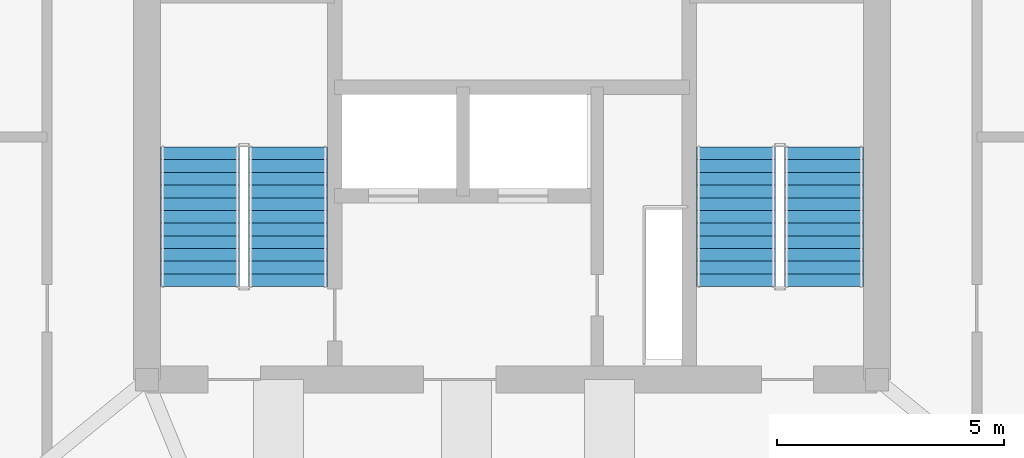
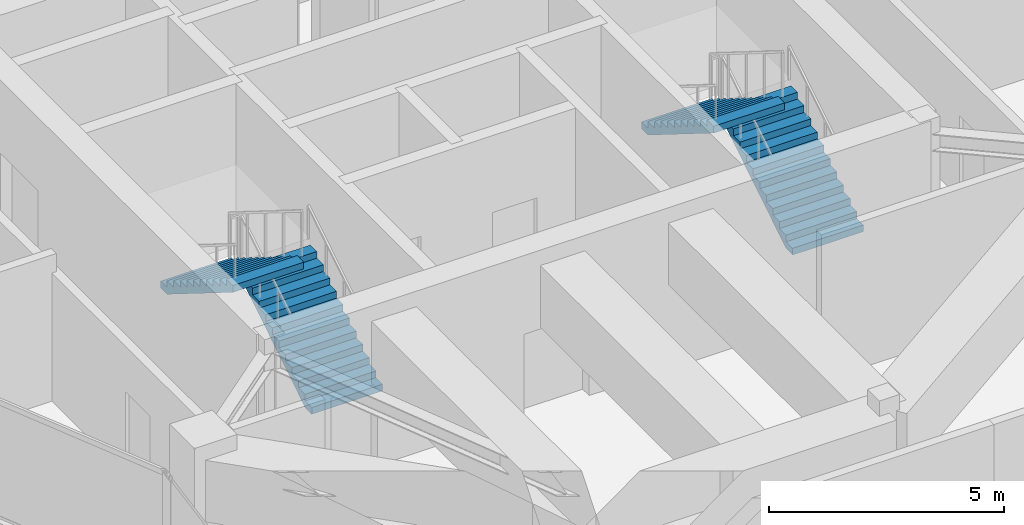
# One storey, part 6 of 7: 4 stair flights, 2 elements without a shape of their own.
"""IFC4 building model written with IfcOpenShell, lengths in metres."""

import ifcopenshell
import ifcopenshell.guid

model = None  # the IFC model being written
_history = None  # IfcOwnerHistory: only IFC2X3 demands one
_inside = {}  # id of a spatial element -> (the spatial element, [elements in it])
_under = {}  # id of a project, library or spatial element -> (it, [spatial elements below it])
_declared = {}  # id of a project -> (the project, [libraries it declares])
_typed = {}  # id of a type object -> (the type object, [elements of that type])
_made_of = {}  # id of a material, layer set ... -> (it, [elements and type objects made of it])


def new_model(schema):
    """Start an empty IFC model of exactly this schema.

    Asked for "IFC4X3", IfcOpenShell would pick the latest addendum, in which some entities
    have other attributes; the version numbers below select the first issue.
    IFC2X3 requires an IfcOwnerHistory on every rooted entity: one is made here for all.
    """
    global model, _history
    if schema == "IFC4X3":
        model = ifcopenshell.file(schema_version=(4, 3, 0, 0))
    else:
        model = ifcopenshell.file(schema=schema)
    _inside.clear()
    _under.clear()
    _declared.clear()
    _typed.clear()
    _made_of.clear()
    _history = None
    if model.schema == "IFC2X3":
        org = make("IfcOrganization", Name="unknown")
        user = make(
            "IfcPersonAndOrganization",
            ThePerson=make("IfcPerson", FamilyName="unknown"),
            TheOrganization=org,
        )
        app = make(
            "IfcApplication",
            ApplicationDeveloper=org,
            Version="unknown",
            ApplicationFullName="unknown",
            ApplicationIdentifier="unknown",
        )
        _history = make(
            "IfcOwnerHistory",
            OwningUser=user,
            OwningApplication=app,
            ChangeAction="ADDED",
            CreationDate=0,
        )
    return model


def make(cls, **values):
    """One entity of the class cls with the attributes given. An attribute that is None is left unset."""
    return model.create_entity(
        cls, **{name: value for name, value in values.items() if value is not None}
    )


def rooted(cls, **values):
    """An entity with a GlobalId (a new one), such as an element, a storey or a relation."""
    return make(cls, GlobalId=ifcopenshell.guid.new(), OwnerHistory=_history, **values)


def si_unit(unit_type, name, prefix=None):
    """IfcSIUnit, for example si_unit("LENGTHUNIT", "METRE", prefix="MILLI")."""
    return make("IfcSIUnit", UnitType=unit_type, Prefix=prefix, Name=name)


def assignment(units):
    """IfcUnitAssignment: the units of a project."""
    return None if units is None else make("IfcUnitAssignment", Units=units)


def point(xyz):
    """IfcCartesianPoint."""
    return None if xyz is None else make("IfcCartesianPoint", Coordinates=xyz)


def direction(xyz):
    """IfcDirection."""
    return None if xyz is None else make("IfcDirection", DirectionRatios=xyz)


def frame(location, z_axis=None, x_axis=None):
    """IfcAxis2Placement3D, a coordinate frame: its origin and axes. An axis left out is left unset."""
    return make(
        "IfcAxis2Placement3D",
        Location=point(location),
        Axis=direction(z_axis),
        RefDirection=direction(x_axis),
    )


def origin():
    """The frame at (0, 0, 0) with its axes left unset."""
    return frame((0.0, 0.0, 0.0))


def place(relative_to, where):
    """IfcLocalPlacement: puts the frame where relative to a parent placement (None: the world)."""
    return make(
        "IfcLocalPlacement", PlacementRelTo=relative_to, RelativePlacement=where
    )


def context(
    kind, dimensions, precision=None, world=None, true_north=None, identifier=None
):
    """IfcGeometricRepresentationContext, for example the 3D "Model" context."""
    return make(
        "IfcGeometricRepresentationContext",
        ContextIdentifier=identifier,
        ContextType=kind,
        CoordinateSpaceDimension=dimensions,
        Precision=precision,
        WorldCoordinateSystem=world,
        TrueNorth=true_north,
    )


def subcontext(parent, identifier, kind, view, scale=None):
    """IfcGeometricRepresentationSubContext, for example "Body" below "Model"."""
    return make(
        "IfcGeometricRepresentationSubContext",
        ContextIdentifier=identifier,
        ContextType=kind,
        ParentContext=parent,
        TargetScale=scale,
        TargetView=view,
    )


def project(units=None, contexts=None):
    """IfcProject with its units and contexts."""
    return rooted(
        "IfcProject",
        Name="project",
        RepresentationContexts=contexts,
        UnitsInContext=assignment(units),
    )


def spatial(cls, under=None, at=None, **own):
    """A site, building, storey or space (cls), placed at a placement, below another one or the project."""
    s = rooted(cls, ObjectPlacement=at, **own)
    if under is not None:
        _under.setdefault(under.id(), (under, []))[1].append(s)
    return s


def polyline(points):
    """IfcPolyline through the points."""
    return make("IfcPolyline", Points=[point(p) for p in points])


def outline(outer, holes=None, kind="AREA"):
    """IfcArbitraryClosedProfileDef: a profile drawn as a closed curve; with holes, ...WithVoids."""
    if holes is None:
        return make("IfcArbitraryClosedProfileDef", ProfileType=kind, OuterCurve=outer)
    return make(
        "IfcArbitraryProfileDefWithVoids",
        ProfileType=kind,
        OuterCurve=outer,
        InnerCurves=holes,
    )


def extrude(swept, where, along, depth):
    """IfcExtrudedAreaSolid: the profile swept, set in the frame where, extruded along a direction by depth."""
    return make(
        "IfcExtrudedAreaSolid",
        SweptArea=swept,
        Position=where,
        ExtrudedDirection=direction(along),
        Depth=depth,
    )


def shape(context_of_items, identifier, shape_type, items):
    """IfcShapeRepresentation: the items that make up one representation, for example the "Body"."""
    return make(
        "IfcShapeRepresentation",
        ContextOfItems=context_of_items,
        RepresentationIdentifier=identifier,
        RepresentationType=shape_type,
        Items=items,
    )


def material(Name=None, Category=None):
    """IfcMaterial."""
    return make("IfcMaterial", Name=Name, Category=Category)


def made_of(thing, what):
    """Note that an element or type object is made of a material, layer set ...; save() writes the relation."""
    if what is not None:
        _made_of.setdefault(what.id(), (what, []))[1].append(thing)
    return thing


def type_object(cls, material=None, **own):
    """A type object (cls), such as IfcWallType, which elements share."""
    return made_of(rooted(cls, **own), material)


def element(
    cls,
    number,
    at=None,
    inside=None,
    cuts=None,
    type_object=None,
    material=None,
    context=None,
    identifier="Body",
    shape_type=None,
    held_by="IfcProductDefinitionShape",
    body=None,
    shapes=None,
    **own,
):
    """One element of the class cls, such as IfcWall. Its Tag is "e" and its number.

    at: its placement. inside: the storey or other place that contains it. cuts: it is an
    opening in that element (IfcRelVoidsElement). A single representation is given by context,
    identifier, shape_type and body (its items); several are given by shapes. held_by: the class
    of the entity that holds the representations. save() writes the other relations.
    """
    e = rooted(cls, Tag="e%d" % number, ObjectPlacement=at, **own)
    if body is not None:
        shapes = [shape(context, identifier, shape_type, body)]
    if shapes is not None:
        e.Representation = make(held_by, Representations=shapes)
    if inside is not None:
        _inside.setdefault(inside.id(), (inside, []))[1].append(e)
    if cuts is not None:
        rooted(
            "IfcRelVoidsElement", RelatingBuildingElement=cuts, RelatedOpeningElement=e
        )
    if type_object is not None:
        _typed.setdefault(type_object.id(), (type_object, []))[1].append(e)
    return made_of(e, material)


def aggregate(whole, parts):
    """IfcRelAggregates: a whole, such as a stair, and the parts it consists of."""
    return rooted("IfcRelAggregates", RelatingObject=whole, RelatedObjects=parts)


def save(model, path):
    """Write the relations noted so far, then the file.

    IfcRelAggregates (storeys below a building ...), IfcRelContainedInSpatialStructure (elements
    in a storey), IfcRelDefinesByType, IfcRelAssociatesMaterial and IfcRelDeclares: one each for
    every whole, place, type object, material and project.
    """
    for whole, parts in _under.values():
        aggregate(whole, parts)
    for where, things in _inside.values():
        rooted(
            "IfcRelContainedInSpatialStructure",
            RelatedElements=things,
            RelatingStructure=where,
        )
    for kind, things in _typed.values():
        rooted("IfcRelDefinesByType", RelatedObjects=things, RelatingType=kind)
    for what, things in _made_of.values():
        rooted("IfcRelAssociatesMaterial", RelatedObjects=things, RelatingMaterial=what)
    for by, libraries in _declared.values():
        rooted("IfcRelDeclares", RelatingContext=by, RelatedDefinitions=libraries)
    model.write(path)


model = new_model("IFC4")

# Units and contexts
model_context = context("Model", 3, precision=1e-05, world=origin(), true_north=direction((0.0, 1.0)))
body_context = subcontext(model_context, "Body", "Model", "MODEL_VIEW")
ifc_project = project(units=[si_unit("LENGTHUNIT", "METRE"), si_unit("AREAUNIT", "SQUARE_METRE"), si_unit("VOLUMEUNIT", "CUBIC_METRE"), si_unit("PLANEANGLEUNIT", "RADIAN"), si_unit("MASSUNIT", "GRAM", prefix="KILO")], contexts=[model_context])

# Site, building, storey
site_placement = place(None, origin())
site = spatial("IfcSite", under=ifc_project, at=site_placement, CompositionType="ELEMENT")
building_placement = place(site_placement, origin())
building = spatial("IfcBuilding", under=site, at=building_placement, Name="Talyreon Biosciences Tower", CompositionType="ELEMENT")
storey_placement = place(building_placement, frame((0.0, 0.0, 313.0)))
storey = spatial("IfcBuildingStorey", under=building, at=storey_placement, Name="L83", CompositionType="ELEMENT", Elevation=313.0)

# Stair, stair flights
ifc_material = material(Name="Concrete C40/50", Category="concrete")
stair_type = type_object("IfcStairType", Name="DoglegEscapeStair_4200", PredefinedType="HALF_TURN_STAIR", material=ifc_material)
stair_1_placement = place(storey_placement, origin())
stair_1 = element("IfcStair", 1, at=stair_1_placement, inside=storey, type_object=stair_type, Name="L83 Core Escape Stair 1", PredefinedType="HALF_TURN_STAIR")
stair_flight_type = type_object("IfcStairFlightType", Name="PrecastStairFlight_4200", PredefinedType="STRAIGHT", material=ifc_material)
stair_flight_1_placement = place(storey_placement, frame((61.06005859375, 63.39990234375, 0.0), z_axis=(0.0, 0.0, 1.0), x_axis=(0.0, 1.0, 0.0)))
stair_flight_1 = element("IfcStairFlight", 2, at=stair_flight_1_placement, type_object=stair_flight_type, Name="ST-1 flight 1", NumberOfRisers=12, NumberOfTreads=11, PredefinedType="STRAIGHT", RiserHeight=0.175, TreadLength=0.28, context=body_context, shape_type="SweptSolid", body=[
    extrude(outline(polyline([(0.0, 0.0), (0.0, 0.175048828125), (0.280029296875, 0.175048828125), (0.280029296875, 0.35009765625), (0.56005859375, 0.35009765625), (0.56005859375, 0.52490234375), (0.840087890625, 0.52490234375), (0.840087890625, 0.699951171875), (1.1201171875, 0.699951171875), (1.1201171875, 0.875), (1.39990234375, 0.875), (1.39990234375, 1.050048828125), (1.679931640625, 1.050048828125), (1.679931640625, 1.22509765625), (1.9599609375, 1.22509765625), (1.9599609375, 1.39990234375), (2.239990234375, 1.39990234375), (2.239990234375, 1.574951171875), (2.52001953125, 1.574951171875), (2.52001953125, 1.75), (2.800048828125, 1.75), (2.800048828125, 1.925048828125), (3.080078125, 1.925048828125), (3.080078125, 2.10009765625), (3.080078125, 1.748291015625), (0.28271484375, 0.0), (0.0, 0.0)])), frame((0.0, 0.8701171875, 0.0), z_axis=(0.0, -1.0, 0.0), x_axis=(1.0, 0.0, 0.0)), (0.0, 0.0, 1.0), 1.739990234375),
])
stair_flight_2_placement = place(storey_placement, frame((59.1201171875, 66.47998046875, 2.10009765625), z_axis=(0.0, 0.0, 1.0), x_axis=(0.0, -1.0, 0.0)))
stair_flight_2 = element("IfcStairFlight", 3, at=stair_flight_2_placement, type_object=stair_flight_type, Name="ST-1 flight 2", NumberOfRisers=12, NumberOfTreads=11, PredefinedType="STRAIGHT", RiserHeight=0.175, TreadLength=0.28, context=body_context, shape_type="SweptSolid", body=[
    extrude(outline(polyline([(0.0, 0.0), (0.0, 0.175048828125), (0.280029296875, 0.175048828125), (0.280029296875, 0.35009765625), (0.56005859375, 0.35009765625), (0.56005859375, 0.52490234375), (0.840087890625, 0.52490234375), (0.840087890625, 0.699951171875), (1.1201171875, 0.699951171875), (1.1201171875, 0.875), (1.39990234375, 0.875), (1.39990234375, 1.050048828125), (1.679931640625, 1.050048828125), (1.679931640625, 1.22509765625), (1.9599609375, 1.22509765625), (1.9599609375, 1.39990234375), (2.239990234375, 1.39990234375), (2.239990234375, 1.574951171875), (2.52001953125, 1.574951171875), (2.52001953125, 1.75), (2.800048828125, 1.75), (2.800048828125, 1.925048828125), (3.080078125, 1.925048828125), (3.080078125, 2.10009765625), (3.080078125, 1.748291015625), (0.28271484375, 0.0), (0.0, 0.0)])), frame((0.0, 0.8701171875, 0.0), z_axis=(0.0, -1.0, 0.0), x_axis=(1.0, 0.0, 0.0)), (0.0, 0.0, 1.0), 1.739990234375),
])
aggregate(stair_1, [stair_flight_1, stair_flight_2])

stair_2_placement = place(storey_placement, origin())
stair_2 = element("IfcStair", 4, at=stair_2_placement, inside=storey, type_object=stair_type, Name="L83 Core Escape Stair 2", PredefinedType="HALF_TURN_STAIR")
stair_flight_3_placement = place(storey_placement, frame((72.8798828125, 63.39990234375, 0.0), z_axis=(0.0, 0.0, 1.0), x_axis=(0.0, 1.0, 0.0)))
stair_flight_3 = element("IfcStairFlight", 5, at=stair_flight_3_placement, type_object=stair_flight_type, Name="ST-2 flight 1", NumberOfRisers=12, NumberOfTreads=11, PredefinedType="STRAIGHT", RiserHeight=0.175, TreadLength=0.28, context=body_context, shape_type="SweptSolid", body=[
    extrude(outline(polyline([(0.0, 0.0), (0.0, 0.175048828125), (0.280029296875, 0.175048828125), (0.280029296875, 0.35009765625), (0.56005859375, 0.35009765625), (0.56005859375, 0.52490234375), (0.840087890625, 0.52490234375), (0.840087890625, 0.699951171875), (1.1201171875, 0.699951171875), (1.1201171875, 0.875), (1.39990234375, 0.875), (1.39990234375, 1.050048828125), (1.679931640625, 1.050048828125), (1.679931640625, 1.22509765625), (1.9599609375, 1.22509765625), (1.9599609375, 1.39990234375), (2.239990234375, 1.39990234375), (2.239990234375, 1.574951171875), (2.52001953125, 1.574951171875), (2.52001953125, 1.75), (2.800048828125, 1.75), (2.800048828125, 1.925048828125), (3.080078125, 1.925048828125), (3.080078125, 2.10009765625), (3.080078125, 1.748291015625), (0.28271484375, 0.0), (0.0, 0.0)])), frame((0.0, 0.8701171875, 0.0), z_axis=(0.0, -1.0, 0.0), x_axis=(1.0, 0.0, 0.0)), (0.0, 0.0, 1.0), 1.739990234375),
])
stair_flight_4_placement = place(storey_placement, frame((70.93994140625, 66.47998046875, 2.10009765625), z_axis=(0.0, 0.0, 1.0), x_axis=(0.0, -1.0, 0.0)))
stair_flight_4 = element("IfcStairFlight", 6, at=stair_flight_4_placement, type_object=stair_flight_type, Name="ST-2 flight 2", NumberOfRisers=12, NumberOfTreads=11, PredefinedType="STRAIGHT", RiserHeight=0.175, TreadLength=0.28, context=body_context, shape_type="SweptSolid", body=[
    extrude(outline(polyline([(0.0, 0.0), (0.0, 0.175048828125), (0.280029296875, 0.175048828125), (0.280029296875, 0.35009765625), (0.56005859375, 0.35009765625), (0.56005859375, 0.52490234375), (0.840087890625, 0.52490234375), (0.840087890625, 0.699951171875), (1.1201171875, 0.699951171875), (1.1201171875, 0.875), (1.39990234375, 0.875), (1.39990234375, 1.050048828125), (1.679931640625, 1.050048828125), (1.679931640625, 1.22509765625), (1.9599609375, 1.22509765625), (1.9599609375, 1.39990234375), (2.239990234375, 1.39990234375), (2.239990234375, 1.574951171875), (2.52001953125, 1.574951171875), (2.52001953125, 1.75), (2.800048828125, 1.75), (2.800048828125, 1.925048828125), (3.080078125, 1.925048828125), (3.080078125, 2.10009765625), (3.080078125, 1.748291015625), (0.28271484375, 0.0), (0.0, 0.0)])), frame((0.0, 0.8701171875, 0.0), z_axis=(0.0, -1.0, 0.0), x_axis=(1.0, 0.0, 0.0)), (0.0, 0.0, 1.0), 1.739990234375),
])
aggregate(stair_2, [stair_flight_3, stair_flight_4])

save(model, "model.ifc")
